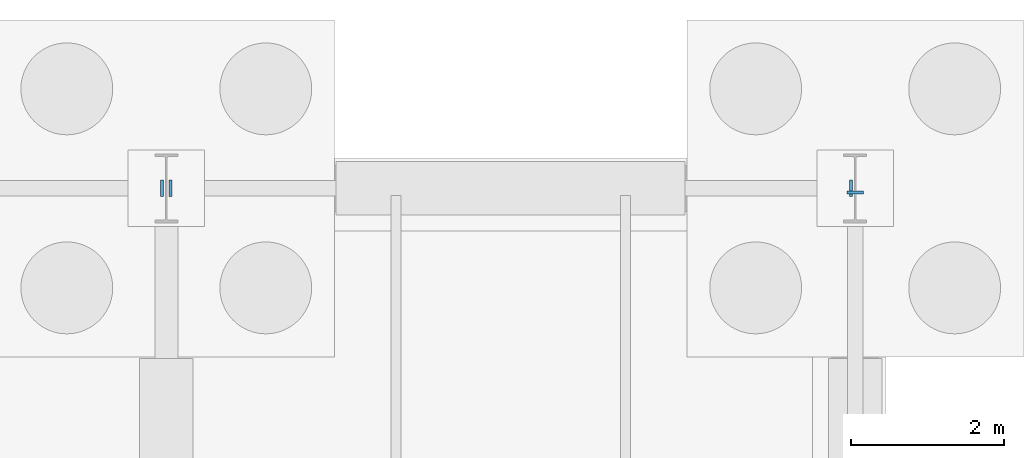
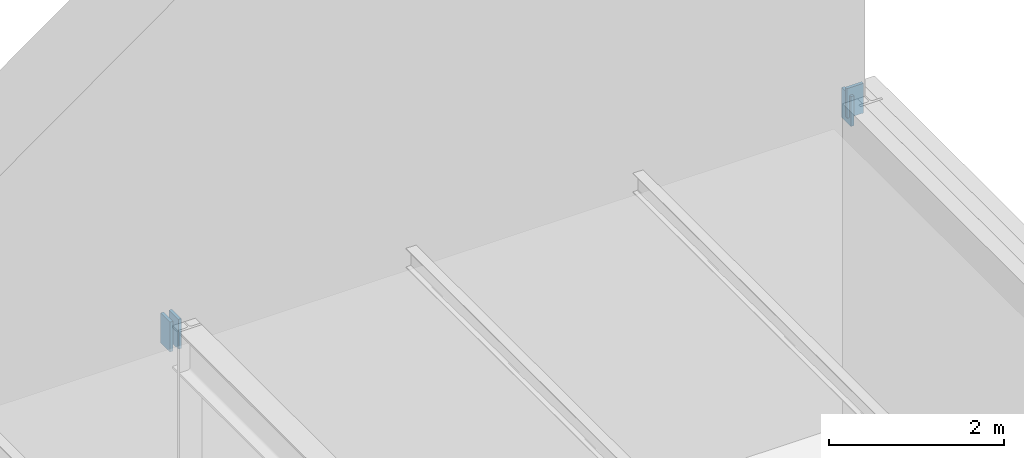
# One storey, part 17 of 19: 4 discrete accessories.
"""IFC4 building model written with IfcOpenShell, lengths in metres."""

from ifc_helpers import new_model, si_unit, direction, frame, origin, origin_2d, place, context, subcontext, project, spatial, rectangle, extrude, material, element, save


model = new_model("IFC4")

# Units and contexts
model_context = context("Model", 3, precision=1e-05, world=origin(), true_north=direction((0.0, 1.0)))
body_context = subcontext(model_context, "Body", "Model", "MODEL_VIEW")
ifc_project = project(units=[si_unit("LENGTHUNIT", "METRE"), si_unit("AREAUNIT", "SQUARE_METRE"), si_unit("VOLUMEUNIT", "CUBIC_METRE"), si_unit("PLANEANGLEUNIT", "RADIAN"), si_unit("MASSUNIT", "GRAM", prefix="KILO")], contexts=[model_context])

# Site, building, storey
site_placement = place(None, origin())
site = spatial("IfcSite", under=ifc_project, at=site_placement, CompositionType="ELEMENT")
building_placement = place(site_placement, origin())
building = spatial("IfcBuilding", under=site, at=building_placement, Name="Marlcrest Central Station", CompositionType="ELEMENT")
storey_placement = place(building_placement, frame((0.0, 0.0, -4.800048828125)))
storey = spatial("IfcBuildingStorey", under=building, at=storey_placement, Name="B1", CompositionType="ELEMENT", Elevation=-4.800048828125)

# Discrete accessories
ifc_material = material(Name="Steel S355", Category="steel")
for number, where, z_axis, x_axis, name in (
    (1, (62.925048828125, 132.0, 4.195068359375), (1.0, 0.0, 0.0), (0.0, 1.0, 0.0), "endcap-bm-SP-01-B1-00031-e"),
    (2, (63.03515625, 132.0, 4.195068359375), (1.0, 0.0, 0.0), (0.0, 1.0, 0.0), "endcap-bm-SP-01-B1-00032-s"),
    (3, (71.925048828125, 132.0, 4.195068359375), (1.0, 0.0, 0.0), (0.0, 1.0, 0.0), "endcap-bm-SP-01-B1-00032-e"),
    (4, (72.0, 131.925048828125, 4.300048828125), (0.0, 1.0, 0.0), (-1.0, 0.0, 0.0), "endcap-bm-SP-01-B1-00059-e"),
):
    element("IfcDiscreteAccessory", number, at=place(storey_placement, frame(where, z_axis=z_axis, x_axis=x_axis)), inside=storey, material=ifc_material, Name=name, ObjectType="END_CAP_PLATE", PredefinedType="BRACKET", context=body_context, shape_type="SweptSolid", body=[
        extrude(rectangle(XDim=0.216064453125, YDim=0.416015625, at=origin_2d()), origin(), (0.0, 0.0, 1.0), 0.0400390625),
    ])

save(model, "model.ifc")
